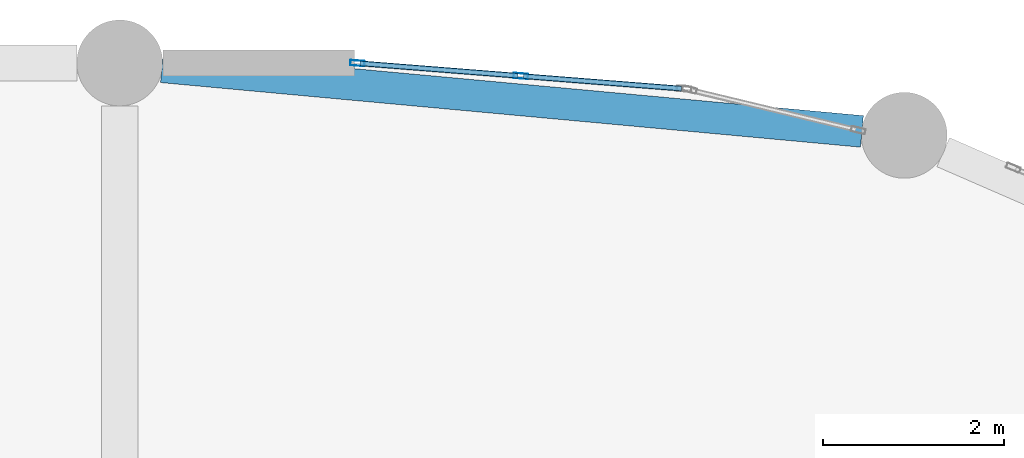
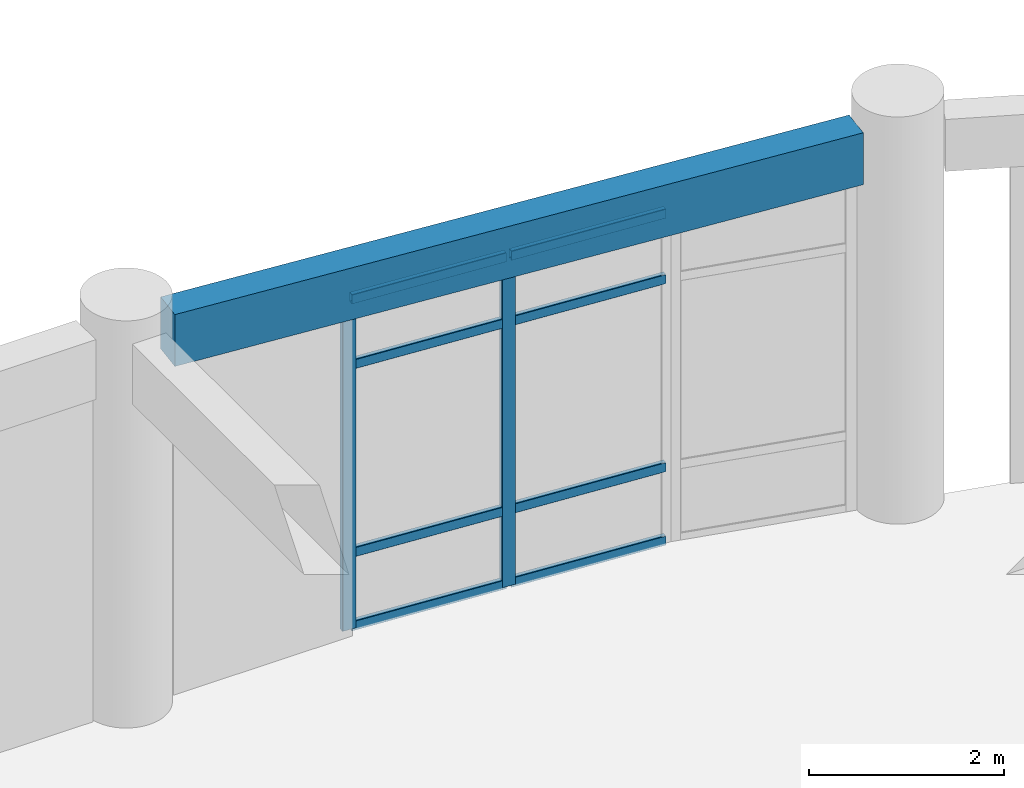
# One storey, part 55 of 120: 10 members, 1 beam, 1 element without a shape of its own.
"""IFC4 building model written with IfcOpenShell, lengths in metres."""

from ifc_helpers import new_model, si_unit, derived_unit, direction, frame, origin, origin_2d, place, context, subcontext, project, spatial, rectangle, hollow_rectangle, extrude, material, layer, layer_set, material_profile, profile_set, type_object, element, aggregate, save


model = new_model("IFC4")

# Units and contexts
model_context = context("Model", 3, precision=1e-05, world=origin(), true_north=direction((0.0, 1.0)))
body_context = subcontext(model_context, "Body", "Model", "MODEL_VIEW")
ifc_project = project(units=[si_unit("LENGTHUNIT", "METRE"), si_unit("AREAUNIT", "SQUARE_METRE"), si_unit("VOLUMEUNIT", "CUBIC_METRE"), si_unit("PLANEANGLEUNIT", "RADIAN"), si_unit("MASSUNIT", "GRAM", prefix="KILO"), derived_unit("THERMALTRANSMITTANCEUNIT", [(si_unit("MASSUNIT", "GRAM", prefix="KILO"), 1), (si_unit("TIMEUNIT", "SECOND"), -3), (si_unit("THERMODYNAMICTEMPERATUREUNIT", "KELVIN"), -1)])], contexts=[model_context])

# Site, building, storey
site_placement = place(None, origin())
site = spatial("IfcSite", under=ifc_project, at=site_placement, CompositionType="ELEMENT")
building_placement = place(site_placement, origin())
building = spatial("IfcBuilding", under=site, at=building_placement, Name="Qinzheling Arcade Emporium", CompositionType="ELEMENT")
storey_placement = place(building_placement, frame((0.0, 0.0, 11.39990234375)))
storey = spatial("IfcBuildingStorey", under=building, at=storey_placement, Name="L03", CompositionType="ELEMENT", Elevation=11.39990234375)

# Curtain wall, members
ifc_material_1 = material(Name="Anodised aluminium and solar-control double glazing", Category="aluminium")
ifc_layer = layer(ifc_material_1, 0.159912109375, Name="Anodised aluminium and solar-control double glazing", Category="aluminium")
ifc_layer_set = layer_set([ifc_layer], Name="Anodised aluminium and solar-control double glazing")
curtain_wall_type = type_object("IfcCurtainWallType", Name="Curved Ribbon Sales Curtain Wall", PredefinedType="NOTDEFINED", material=ifc_layer_set)
curtain_wall_placement = place(storey_placement, origin())
curtain_wall = element("IfcCurtainWall", 1, at=curtain_wall_placement, inside=storey, type_object=curtain_wall_type, Name="Curtain Wall CW-L03-182", PredefinedType="NOTDEFINED")
ifc_material_2 = material(Name="Anodised aluminium 6063-T6", Category="aluminium")
ifc_material_profile_1 = material_profile(ifc_material_2, hollow_rectangle(XDim=0.06005859375, YDim=0.159912109375, WallThickness=0.00390625, InnerFilletRadius=0.00390625, OuterFilletRadius=0.008056640625, at=origin_2d()), Name="RHS 160x60x4", Category="aluminium")
ifc_profile_set_1 = profile_set([ifc_material_profile_1], Name="Anodised aluminium 6063-T6")
member_type_1 = type_object("IfcMemberType", Name="Curtain Wall Mullion RHS160x60", PredefinedType="MULLION", material=ifc_profile_set_1)
member_1_placement = place(storey_placement, frame((124.429931640625, 114.59765625, 0.0), z_axis=(0.0, 0.0, 1.0), x_axis=(0.078376222365, 0.996923852542, 0.0)))
member_1 = element("IfcMember", 2, at=member_1_placement, type_object=member_type_1, Name="CW02 mullion 1", PredefinedType="MULLION", context=body_context, shape_type="SweptSolid", body=[
    extrude(hollow_rectangle(XDim=0.06005859375, YDim=0.159912109375, WallThickness=0.00390625, InnerFilletRadius=0.00390625, OuterFilletRadius=0.008056640625, at=origin_2d()), origin(), (0.0, 0.0, 1.0), 4.155029296875),
])
member_2_placement = place(storey_placement, frame((126.238037109375, 114.45556640625, 0.0), z_axis=(0.0, 0.0, 1.0), x_axis=(0.078376222365, 0.996923852542, 0.0)))
member_2 = element("IfcMember", 3, at=member_2_placement, type_object=member_type_1, Name="CW02 mullion 2", PredefinedType="MULLION", context=body_context, shape_type="SweptSolid", body=[
    extrude(hollow_rectangle(XDim=0.06005859375, YDim=0.159912109375, WallThickness=0.00390625, InnerFilletRadius=0.00390625, OuterFilletRadius=0.008056640625, at=origin_2d()), origin(), (0.0, 0.0, 1.0), 4.155029296875),
])
ifc_material_profile_2 = material_profile(ifc_material_2, hollow_rectangle(XDim=0.06005859375, YDim=0.1201171875, WallThickness=0.00390625, InnerFilletRadius=0.00390625, OuterFilletRadius=0.008056640625, at=origin_2d()), Name="RHS 120x60x4", Category="aluminium")
ifc_profile_set_2 = profile_set([ifc_material_profile_2], Name="Anodised aluminium 6063-T6")
member_type_2 = type_object("IfcMemberType", Name="Curtain Wall Transom RHS120x60", PredefinedType="USERDEFINED", material=ifc_profile_set_2)
member_3_placement = place(storey_placement, frame((124.459716796875, 114.59521484375, 0.030029296875), z_axis=(0.996923677954, -0.078378443051, 0.0), x_axis=(0.078378443051, 0.996923677954, 0.0)))
member_3 = element("IfcMember", 4, at=member_3_placement, type_object=member_type_2, Name="CW02 transom 1.1", ObjectType="TRANSOM", PredefinedType="USERDEFINED", context=body_context, shape_type="SweptSolid", body=[
    extrude(hollow_rectangle(XDim=0.06005859375, YDim=0.1201171875, WallThickness=0.00390625, InnerFilletRadius=0.00390625, OuterFilletRadius=0.008056640625, at=origin_2d()), origin(), (0.0, 0.0, 1.0), 1.753662109375),
])
member_4_placement = place(storey_placement, frame((124.459716796875, 114.59521484375, 0.9501953125), z_axis=(0.996923677954, -0.078378443051, 0.0), x_axis=(0.078378443051, 0.996923677954, 0.0)))
member_4 = element("IfcMember", 5, at=member_4_placement, type_object=member_type_2, Name="CW02 transom 1.2", ObjectType="TRANSOM", PredefinedType="USERDEFINED", context=body_context, shape_type="SweptSolid", body=[
    extrude(hollow_rectangle(XDim=0.06005859375, YDim=0.1201171875, WallThickness=0.00390625, InnerFilletRadius=0.00390625, OuterFilletRadius=0.008056640625, at=origin_2d()), origin(), (0.0, 0.0, 1.0), 1.753662109375),
])
member_5_placement = place(storey_placement, frame((124.459716796875, 114.59521484375, 3.30517578125), z_axis=(0.996923677954, -0.078378443051, 0.0), x_axis=(0.078378443051, 0.996923677954, 0.0)))
member_5 = element("IfcMember", 6, at=member_5_placement, type_object=member_type_2, Name="CW02 transom 1.3", ObjectType="TRANSOM", PredefinedType="USERDEFINED", context=body_context, shape_type="SweptSolid", body=[
    extrude(hollow_rectangle(XDim=0.06005859375, YDim=0.1201171875, WallThickness=0.00390625, InnerFilletRadius=0.00390625, OuterFilletRadius=0.008056640625, at=origin_2d()), origin(), (0.0, 0.0, 1.0), 1.753662109375),
])
member_6_placement = place(storey_placement, frame((124.459716796875, 114.59521484375, 4.125), z_axis=(0.996923677954, -0.078378443051, 0.0), x_axis=(0.078378443051, 0.996923677954, 0.0)))
member_6 = element("IfcMember", 7, at=member_6_placement, type_object=member_type_2, Name="CW02 transom 1.4", ObjectType="TRANSOM", PredefinedType="USERDEFINED", context=body_context, shape_type="SweptSolid", body=[
    extrude(hollow_rectangle(XDim=0.06005859375, YDim=0.1201171875, WallThickness=0.00390625, InnerFilletRadius=0.00390625, OuterFilletRadius=0.008056640625, at=origin_2d()), origin(), (0.0, 0.0, 1.0), 1.753662109375),
])
member_7_placement = place(storey_placement, frame((126.267822265625, 114.453125, 0.030029296875), z_axis=(0.996923677954, -0.078378443051, 0.0), x_axis=(0.078378443051, 0.996923677954, 0.0)))
member_7 = element("IfcMember", 8, at=member_7_placement, type_object=member_type_2, Name="CW02 transom 2.1", ObjectType="TRANSOM", PredefinedType="USERDEFINED", context=body_context, shape_type="SweptSolid", body=[
    extrude(hollow_rectangle(XDim=0.06005859375, YDim=0.1201171875, WallThickness=0.00390625, InnerFilletRadius=0.00390625, OuterFilletRadius=0.008056640625, at=origin_2d()), origin(), (0.0, 0.0, 1.0), 1.753662109375),
])
member_8_placement = place(storey_placement, frame((126.267822265625, 114.453125, 0.9501953125), z_axis=(0.996923677954, -0.078378443051, 0.0), x_axis=(0.078378443051, 0.996923677954, 0.0)))
member_8 = element("IfcMember", 9, at=member_8_placement, type_object=member_type_2, Name="CW02 transom 2.2", ObjectType="TRANSOM", PredefinedType="USERDEFINED", context=body_context, shape_type="SweptSolid", body=[
    extrude(hollow_rectangle(XDim=0.06005859375, YDim=0.1201171875, WallThickness=0.00390625, InnerFilletRadius=0.00390625, OuterFilletRadius=0.008056640625, at=origin_2d()), origin(), (0.0, 0.0, 1.0), 1.753662109375),
])
member_9_placement = place(storey_placement, frame((126.267822265625, 114.453125, 3.30517578125), z_axis=(0.996923677954, -0.078378443051, 0.0), x_axis=(0.078378443051, 0.996923677954, 0.0)))
member_9 = element("IfcMember", 10, at=member_9_placement, type_object=member_type_2, Name="CW02 transom 2.3", ObjectType="TRANSOM", PredefinedType="USERDEFINED", context=body_context, shape_type="SweptSolid", body=[
    extrude(hollow_rectangle(XDim=0.06005859375, YDim=0.1201171875, WallThickness=0.00390625, InnerFilletRadius=0.00390625, OuterFilletRadius=0.008056640625, at=origin_2d()), origin(), (0.0, 0.0, 1.0), 1.753662109375),
])
member_10_placement = place(storey_placement, frame((126.267822265625, 114.453125, 4.125), z_axis=(0.996923677954, -0.078378443051, 0.0), x_axis=(0.078378443051, 0.996923677954, 0.0)))
member_10 = element("IfcMember", 11, at=member_10_placement, type_object=member_type_2, Name="CW02 transom 2.4", ObjectType="TRANSOM", PredefinedType="USERDEFINED", context=body_context, shape_type="SweptSolid", body=[
    extrude(hollow_rectangle(XDim=0.06005859375, YDim=0.1201171875, WallThickness=0.00390625, InnerFilletRadius=0.00390625, OuterFilletRadius=0.008056640625, at=origin_2d()), origin(), (0.0, 0.0, 1.0), 1.753662109375),
])
aggregate(curtain_wall, [member_1, member_2, member_3, member_4, member_5, member_6, member_7, member_8, member_9, member_10])

# Beam
ifc_material_3 = material(Name="Concrete C40", Category="concrete")
ifc_material_profile_3 = material_profile(ifc_material_3, rectangle(XDim=0.35009765625, YDim=0.64990234375, at=origin_2d()), Name="RC 350x650", Category="concrete")
ifc_profile_set_3 = profile_set([ifc_material_profile_3], Name="Concrete C40")
beam_type = type_object("IfcBeamType", Name="RC Spandrel Edge Beam 350x650 C40", PredefinedType="SPANDREL", material=ifc_profile_set_3)
beam_placement = place(storey_placement, frame((130.013916015625, 113.842041015625, 4.4951171875), z_axis=(-0.995768534988, 0.09189681566, 0.0), x_axis=(-0.09189681566, -0.995768534988, 0.0)))
element("IfcBeam", 12, at=beam_placement, inside=storey, type_object=beam_type, Name="Curved Arcade Spandrel BM-L03-CV6-B05", PredefinedType="SPANDREL", context=body_context, shape_type="SweptSolid", body=[
    extrude(rectangle(XDim=0.35009765625, YDim=0.64990234375, at=origin_2d()), origin(), (0.0, 0.0, 1.0), 7.77880859375),
])

save(model, "model.ifc")
